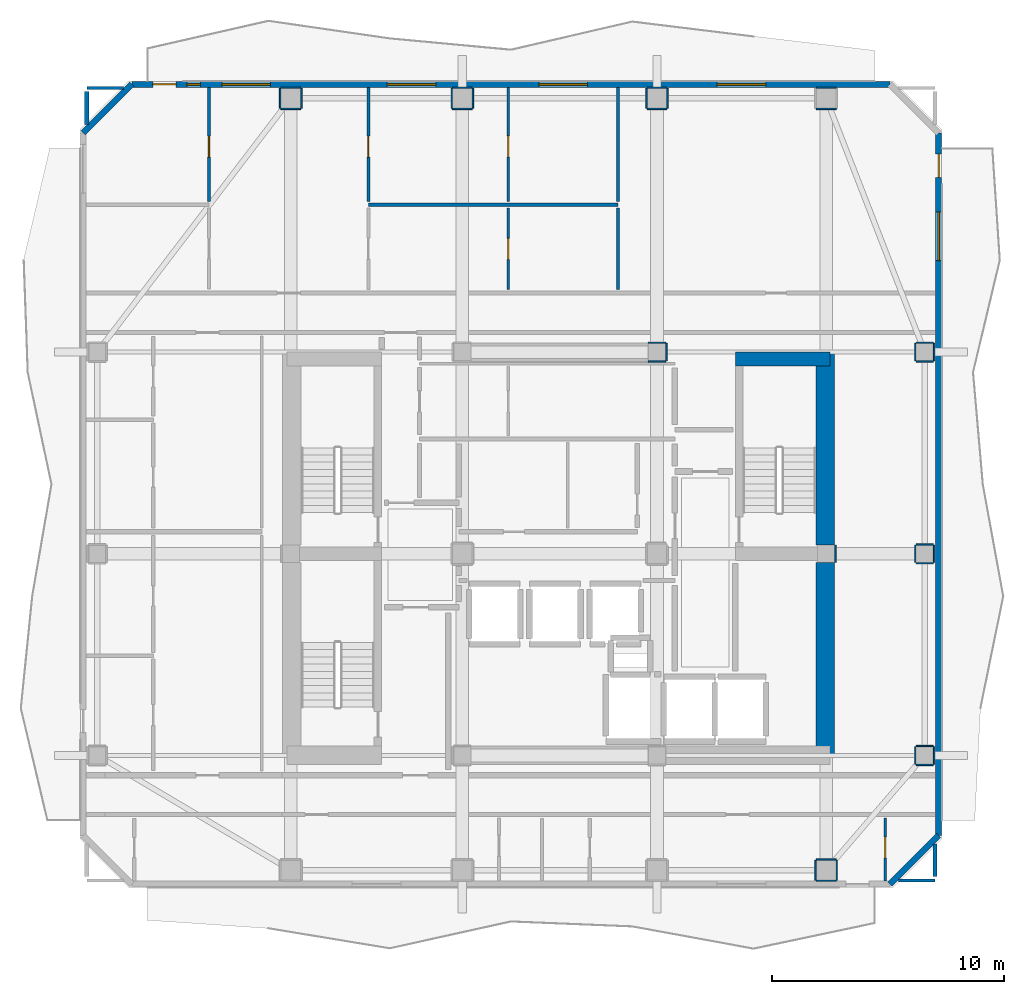
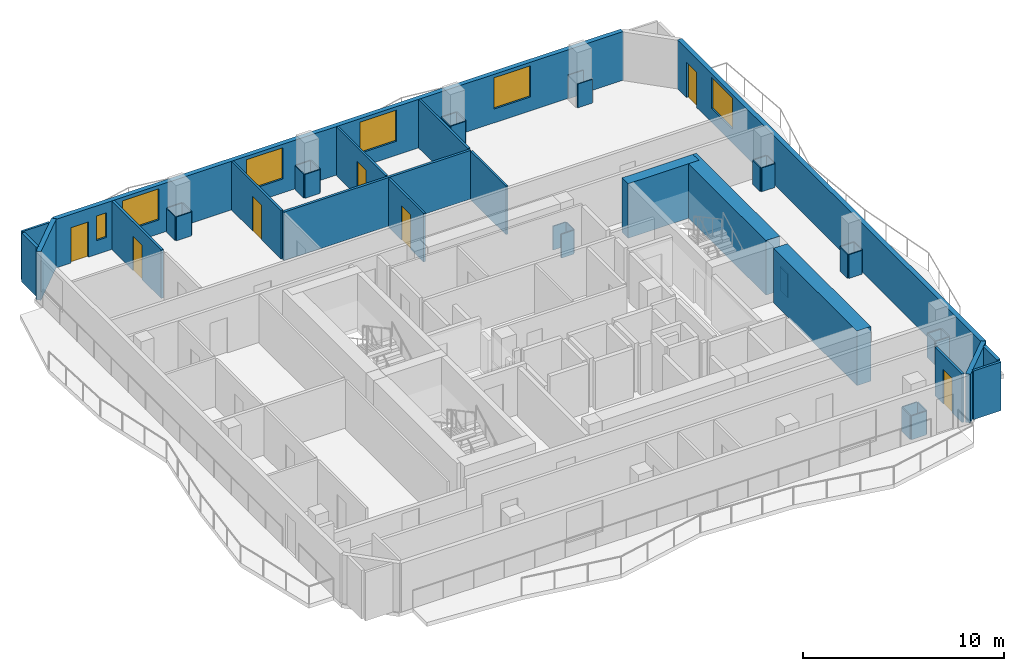
# One storey, part 5 of 10: 53 walls, 7 doors, 6 windows, 13 openings.
"""IFC4 building model written with IfcOpenShell, lengths in metres."""

import ifcopenshell
import ifcopenshell.guid

model = None  # the IFC model being written
_history = None  # IfcOwnerHistory: only IFC2X3 demands one
_inside = {}  # id of a spatial element -> (the spatial element, [elements in it])
_under = {}  # id of a project, library or spatial element -> (it, [spatial elements below it])
_declared = {}  # id of a project -> (the project, [libraries it declares])
_typed = {}  # id of a type object -> (the type object, [elements of that type])
_made_of = {}  # id of a material, layer set ... -> (it, [elements and type objects made of it])


def new_model(schema):
    """Start an empty IFC model of exactly this schema.

    Asked for "IFC4X3", IfcOpenShell would pick the latest addendum, in which some entities
    have other attributes; the version numbers below select the first issue.
    IFC2X3 requires an IfcOwnerHistory on every rooted entity: one is made here for all.
    """
    global model, _history
    if schema == "IFC4X3":
        model = ifcopenshell.file(schema_version=(4, 3, 0, 0))
    else:
        model = ifcopenshell.file(schema=schema)
    _inside.clear()
    _under.clear()
    _declared.clear()
    _typed.clear()
    _made_of.clear()
    _history = None
    if model.schema == "IFC2X3":
        org = make("IfcOrganization", Name="unknown")
        user = make(
            "IfcPersonAndOrganization",
            ThePerson=make("IfcPerson", FamilyName="unknown"),
            TheOrganization=org,
        )
        app = make(
            "IfcApplication",
            ApplicationDeveloper=org,
            Version="unknown",
            ApplicationFullName="unknown",
            ApplicationIdentifier="unknown",
        )
        _history = make(
            "IfcOwnerHistory",
            OwningUser=user,
            OwningApplication=app,
            ChangeAction="ADDED",
            CreationDate=0,
        )
    return model


def make(cls, **values):
    """One entity of the class cls with the attributes given. An attribute that is None is left unset."""
    return model.create_entity(
        cls, **{name: value for name, value in values.items() if value is not None}
    )


def rooted(cls, **values):
    """An entity with a GlobalId (a new one), such as an element, a storey or a relation."""
    return make(cls, GlobalId=ifcopenshell.guid.new(), OwnerHistory=_history, **values)


def si_unit(unit_type, name, prefix=None):
    """IfcSIUnit, for example si_unit("LENGTHUNIT", "METRE", prefix="MILLI")."""
    return make("IfcSIUnit", UnitType=unit_type, Prefix=prefix, Name=name)


def assignment(units):
    """IfcUnitAssignment: the units of a project."""
    return None if units is None else make("IfcUnitAssignment", Units=units)


def point(xyz):
    """IfcCartesianPoint."""
    return None if xyz is None else make("IfcCartesianPoint", Coordinates=xyz)


def direction(xyz):
    """IfcDirection."""
    return None if xyz is None else make("IfcDirection", DirectionRatios=xyz)


def frame(location, z_axis=None, x_axis=None):
    """IfcAxis2Placement3D, a coordinate frame: its origin and axes. An axis left out is left unset."""
    return make(
        "IfcAxis2Placement3D",
        Location=point(location),
        Axis=direction(z_axis),
        RefDirection=direction(x_axis),
    )


def frame_2d(location, x_axis=None):
    """IfcAxis2Placement2D, a coordinate frame in the plane: its origin and x axis."""
    return make(
        "IfcAxis2Placement2D", Location=point(location), RefDirection=direction(x_axis)
    )


def origin():
    """The frame at (0, 0, 0) with its axes left unset."""
    return frame((0.0, 0.0, 0.0))


def place(relative_to, where):
    """IfcLocalPlacement: puts the frame where relative to a parent placement (None: the world)."""
    return make(
        "IfcLocalPlacement", PlacementRelTo=relative_to, RelativePlacement=where
    )


def context(
    kind, dimensions, precision=None, world=None, true_north=None, identifier=None
):
    """IfcGeometricRepresentationContext, for example the 3D "Model" context."""
    return make(
        "IfcGeometricRepresentationContext",
        ContextIdentifier=identifier,
        ContextType=kind,
        CoordinateSpaceDimension=dimensions,
        Precision=precision,
        WorldCoordinateSystem=world,
        TrueNorth=true_north,
    )


def subcontext(parent, identifier, kind, view, scale=None):
    """IfcGeometricRepresentationSubContext, for example "Body" below "Model"."""
    return make(
        "IfcGeometricRepresentationSubContext",
        ContextIdentifier=identifier,
        ContextType=kind,
        ParentContext=parent,
        TargetScale=scale,
        TargetView=view,
    )


def project(units=None, contexts=None):
    """IfcProject with its units and contexts."""
    return rooted(
        "IfcProject",
        Name="project",
        RepresentationContexts=contexts,
        UnitsInContext=assignment(units),
    )


def spatial(cls, under=None, at=None, **own):
    """A site, building, storey or space (cls), placed at a placement, below another one or the project."""
    s = rooted(cls, ObjectPlacement=at, **own)
    if under is not None:
        _under.setdefault(under.id(), (under, []))[1].append(s)
    return s


def profile(cls, at=None, kind="AREA", **sizes):
    """A parametric profile (cls). Its sizes go by their IFC names, for example OverallWidth=200.0."""
    return make(cls, ProfileType=kind, Position=at, **sizes)


def rectangle(**sizes):
    """IfcRectangleProfileDef."""
    return profile("IfcRectangleProfileDef", **sizes)


def extrude(swept, where, along, depth):
    """IfcExtrudedAreaSolid: the profile swept, set in the frame where, extruded along a direction by depth."""
    return make(
        "IfcExtrudedAreaSolid",
        SweptArea=swept,
        Position=where,
        ExtrudedDirection=direction(along),
        Depth=depth,
    )


def shape(context_of_items, identifier, shape_type, items):
    """IfcShapeRepresentation: the items that make up one representation, for example the "Body"."""
    return make(
        "IfcShapeRepresentation",
        ContextOfItems=context_of_items,
        RepresentationIdentifier=identifier,
        RepresentationType=shape_type,
        Items=items,
    )


def material(Name=None, Category=None):
    """IfcMaterial."""
    return make("IfcMaterial", Name=Name, Category=Category)


def layer(
    of_material, thickness, ventilated=None, Name=None, Category=None, Priority=None
):
    """IfcMaterialLayer: one layer of a wall or slab, of a material (None: an air gap)."""
    return make(
        "IfcMaterialLayer",
        Material=of_material,
        LayerThickness=thickness,
        IsVentilated=ventilated,
        Name=Name,
        Category=Category,
        Priority=Priority,
    )


def layer_set(layers, Name=None):
    """IfcMaterialLayerSet."""
    return make("IfcMaterialLayerSet", MaterialLayers=layers, LayerSetName=Name)


def made_of(thing, what):
    """Note that an element or type object is made of a material, layer set ...; save() writes the relation."""
    if what is not None:
        _made_of.setdefault(what.id(), (what, []))[1].append(thing)
    return thing


def type_object(cls, material=None, **own):
    """A type object (cls), such as IfcWallType, which elements share."""
    return made_of(rooted(cls, **own), material)


def element(
    cls,
    number,
    at=None,
    inside=None,
    cuts=None,
    type_object=None,
    material=None,
    context=None,
    identifier="Body",
    shape_type=None,
    held_by="IfcProductDefinitionShape",
    body=None,
    shapes=None,
    **own,
):
    """One element of the class cls, such as IfcWall. Its Tag is "e" and its number.

    at: its placement. inside: the storey or other place that contains it. cuts: it is an
    opening in that element (IfcRelVoidsElement). A single representation is given by context,
    identifier, shape_type and body (its items); several are given by shapes. held_by: the class
    of the entity that holds the representations. save() writes the other relations.
    """
    e = rooted(cls, Tag="e%d" % number, ObjectPlacement=at, **own)
    if body is not None:
        shapes = [shape(context, identifier, shape_type, body)]
    if shapes is not None:
        e.Representation = make(held_by, Representations=shapes)
    if inside is not None:
        _inside.setdefault(inside.id(), (inside, []))[1].append(e)
    if cuts is not None:
        rooted(
            "IfcRelVoidsElement", RelatingBuildingElement=cuts, RelatedOpeningElement=e
        )
    if type_object is not None:
        _typed.setdefault(type_object.id(), (type_object, []))[1].append(e)
    return made_of(e, material)


def fill(opening, filler):
    """IfcRelFillsElement: the door or window that sits in an opening."""
    return rooted(
        "IfcRelFillsElement",
        RelatingOpeningElement=opening,
        RelatedBuildingElement=filler,
    )


def aggregate(whole, parts):
    """IfcRelAggregates: a whole, such as a stair, and the parts it consists of."""
    return rooted("IfcRelAggregates", RelatingObject=whole, RelatedObjects=parts)


def save(model, path):
    """Write the relations noted so far, then the file.

    IfcRelAggregates (storeys below a building ...), IfcRelContainedInSpatialStructure (elements
    in a storey), IfcRelDefinesByType, IfcRelAssociatesMaterial and IfcRelDeclares: one each for
    every whole, place, type object, material and project.
    """
    for whole, parts in _under.values():
        aggregate(whole, parts)
    for where, things in _inside.values():
        rooted(
            "IfcRelContainedInSpatialStructure",
            RelatedElements=things,
            RelatingStructure=where,
        )
    for kind, things in _typed.values():
        rooted("IfcRelDefinesByType", RelatedObjects=things, RelatingType=kind)
    for what, things in _made_of.values():
        rooted("IfcRelAssociatesMaterial", RelatedObjects=things, RelatingMaterial=what)
    for by, libraries in _declared.values():
        rooted("IfcRelDeclares", RelatingContext=by, RelatedDefinitions=libraries)
    model.write(path)


model = new_model("IFC4")

# Units and contexts
model_context = context("Model", 3, precision=1e-05, world=origin(), true_north=direction((0.0, 1.0)))
body_context = subcontext(model_context, "Body", "Model", "MODEL_VIEW")
ifc_project = project(units=[si_unit("LENGTHUNIT", "METRE"), si_unit("AREAUNIT", "SQUARE_METRE"), si_unit("VOLUMEUNIT", "CUBIC_METRE"), si_unit("PLANEANGLEUNIT", "RADIAN"), si_unit("MASSUNIT", "GRAM", prefix="KILO")], contexts=[model_context])

# Site, building, storey
site_placement = place(None, origin())
site = spatial("IfcSite", under=ifc_project, at=site_placement, CompositionType="ELEMENT")
building_placement = place(site_placement, origin())
building = spatial("IfcBuilding", under=site, at=building_placement, Name="Solanera Arch Residences", CompositionType="ELEMENT")
storey_placement = place(building_placement, frame((0.0, 0.0, 254.52001953125)))
storey = spatial("IfcBuildingStorey", under=building, at=storey_placement, Name="L74", CompositionType="ELEMENT", Elevation=254.52001953125)

# Walls
ifc_material_1 = material(Name="Fire-Rated Gypsum Stud Partition", Category="gypsum")
ifc_layer_1 = layer(ifc_material_1, 0.06005859375)
ifc_layer_set_1 = layer_set([ifc_layer_1], Name="Fire-Rated Gypsum Stud Partition")
wall_type_1 = type_object("IfcWallType", Name="Column Acoustic Furring Wall 60", PredefinedType="PARTITIONING", material=ifc_layer_set_1)
for number, where, z_axis, x_axis, name in (
    (1, (28.8330078125, 38.992919921875, 0.0), (0.0, 0.0, 1.0), (1.0, 0.0, 0.0), "L74 Column Furring 4S"),
    (2, (28.8330078125, 39.806884765625, 0.0), (0.0, 0.0, 1.0), (1.0, 0.0, 0.0), "L74 Column Furring 4N"),
):
    element("IfcWall", number, at=place(storey_placement, frame(where, z_axis=z_axis, x_axis=x_axis)), inside=storey, type_object=wall_type_1, Name=name, PredefinedType="PARTITIONING", context=body_context, shape_type="SweptSolid", body=[
        extrude(rectangle(XDim=0.741943359375, YDim=0.06005859375, at=frame_2d((0.37109375, 0.0))), origin(), (0.0, 0.0, 1.0), 1.449951171875),
    ])
for number, where, z_axis, x_axis, name in (
    (3, (29.60693359375, 39.02490234375, 0.0), (0.0, 0.0, 1.0), (0.0, 1.0, 0.0), "L74 Column Furring 4E"),
    (4, (36.906982421875, 30.324951171875, 0.0), (0.0, 0.0, 1.0), (0.0, 1.0, 0.0), "L74 Column Furring 6E"),
):
    element("IfcWall", number, at=place(storey_placement, frame(where, z_axis=z_axis, x_axis=x_axis)), inside=storey, type_object=wall_type_1, Name=name, PredefinedType="PARTITIONING", context=body_context, shape_type="SweptSolid", body=[
        extrude(rectangle(XDim=0.75, YDim=0.06005859375, at=frame_2d((0.375, 0.0))), origin(), (0.0, 0.0, 1.0), 1.449951171875),
    ])
for number, where, z_axis, x_axis, name in (
    (5, (12.97509765625, 49.89306640625, 0.0), (0.0, 0.0, 1.0), (1.0, 0.0, 0.0), "L74 Column Furring 10S"),
    (6, (12.97509765625, 50.806884765625, 0.0), (0.0, 0.0, 1.0), (1.0, 0.0, 0.0), "L74 Column Furring 10N"),
    (7, (12.943115234375, 49.925048828125, 0.0), (0.0, 0.0, 1.0), (0.0, 1.0, 0.0), "L74 Column Furring 10W"),
    (8, (13.85693359375, 49.925048828125, 0.0), (0.0, 0.0, 1.0), (0.0, 1.0, 0.0), "L74 Column Furring 10E"),
):
    element("IfcWall", number, at=place(storey_placement, frame(where, z_axis=z_axis, x_axis=x_axis)), inside=storey, type_object=wall_type_1, Name=name, PredefinedType="PARTITIONING", context=body_context, shape_type="SweptSolid", body=[
        extrude(rectangle(XDim=0.849853515625, YDim=0.06005859375, at=frame_2d((0.4248046875, 0.0))), origin(), (0.0, 0.0, 1.0), 1.449951171875),
    ])
for number, where, z_axis, x_axis, name in (
    (9, (20.375, 49.89306640625, 0.0), (0.0, 0.0, 1.0), (1.0, 0.0, 0.0), "L74 Column Furring 12S"),
    (10, (20.375, 50.806884765625, 0.0), (0.0, 0.0, 1.0), (1.0, 0.0, 0.0), "L74 Column Furring 12N"),
):
    element("IfcWall", number, at=place(storey_placement, frame(where, z_axis=z_axis, x_axis=x_axis)), inside=storey, type_object=wall_type_1, Name=name, PredefinedType="PARTITIONING", context=body_context, shape_type="SweptSolid", body=[
        extrude(rectangle(XDim=0.85009765625, YDim=0.06005859375, at=frame_2d((0.425048828125, 0.0))), origin(), (0.0, 0.0, 1.0), 1.449951171875),
    ])
for number, where, z_axis, x_axis, name in (
    (11, (20.343017578125, 49.925048828125, 0.0), (0.0, 0.0, 1.0), (0.0, 1.0, 0.0), "L74 Column Furring 12W"),
    (12, (21.257080078125, 49.925048828125, 0.0), (0.0, 0.0, 1.0), (0.0, 1.0, 0.0), "L74 Column Furring 12E"),
):
    element("IfcWall", number, at=place(storey_placement, frame(where, z_axis=z_axis, x_axis=x_axis)), inside=storey, type_object=wall_type_1, Name=name, PredefinedType="PARTITIONING", context=body_context, shape_type="SweptSolid", body=[
        extrude(rectangle(XDim=0.849853515625, YDim=0.06005859375, at=frame_2d((0.4248046875, 0.0))), origin(), (0.0, 0.0, 1.0), 1.449951171875),
    ])
for number, where, z_axis, x_axis, name in (
    (13, (28.77490234375, 49.89306640625, 0.0), (0.0, 0.0, 1.0), (1.0, 0.0, 0.0), "L74 Column Furring 14S"),
    (14, (28.77490234375, 50.806884765625, 0.0), (0.0, 0.0, 1.0), (1.0, 0.0, 0.0), "L74 Column Furring 14N"),
):
    element("IfcWall", number, at=place(storey_placement, frame(where, z_axis=z_axis, x_axis=x_axis)), inside=storey, type_object=wall_type_1, Name=name, PredefinedType="PARTITIONING", context=body_context, shape_type="SweptSolid", body=[
        extrude(rectangle(XDim=0.85009765625, YDim=0.06005859375, at=frame_2d((0.425048828125, 0.0))), origin(), (0.0, 0.0, 1.0), 1.449951171875),
    ])
for number, where, z_axis, x_axis, name in (
    (15, (28.742919921875, 49.925048828125, 0.0), (0.0, 0.0, 1.0), (0.0, 1.0, 0.0), "L74 Column Furring 14W"),
    (16, (29.656982421875, 49.925048828125, 0.0), (0.0, 0.0, 1.0), (0.0, 1.0, 0.0), "L74 Column Furring 14E"),
):
    element("IfcWall", number, at=place(storey_placement, frame(where, z_axis=z_axis, x_axis=x_axis)), inside=storey, type_object=wall_type_1, Name=name, PredefinedType="PARTITIONING", context=body_context, shape_type="SweptSolid", body=[
        extrude(rectangle(XDim=0.849853515625, YDim=0.06005859375, at=frame_2d((0.4248046875, 0.0))), origin(), (0.0, 0.0, 1.0), 1.449951171875),
    ])
for number, where, z_axis, x_axis, name in (
    (17, (36.074951171875, 16.593017578125, 0.0), (0.0, 0.0, 1.0), (1.0, 0.0, 0.0), "L74 Column Furring 15S"),
    (18, (36.074951171875, 17.507080078125, 0.0), (0.0, 0.0, 1.0), (1.0, 0.0, 0.0), "L74 Column Furring 15N"),
    (19, (36.04296875, 16.625, 0.0), (0.0, 0.0, 1.0), (0.0, 1.0, 0.0), "L74 Column Furring 15W"),
    (20, (36.95703125, 16.625, 0.0), (0.0, 0.0, 1.0), (0.0, 1.0, 0.0), "L74 Column Furring 15E"),
    (21, (36.074951171875, 49.89306640625, 0.0), (0.0, 0.0, 1.0), (1.0, 0.0, 0.0), "L74 Column Furring 16S"),
    (22, (36.074951171875, 50.806884765625, 0.0), (0.0, 0.0, 1.0), (1.0, 0.0, 0.0), "L74 Column Furring 16N"),
):
    element("IfcWall", number, at=place(storey_placement, frame(where, z_axis=z_axis, x_axis=x_axis)), inside=storey, type_object=wall_type_1, Name=name, PredefinedType="PARTITIONING", context=body_context, shape_type="SweptSolid", body=[
        extrude(rectangle(XDim=0.85009765625, YDim=0.06005859375, at=frame_2d((0.425048828125, 0.0))), origin(), (0.0, 0.0, 1.0), 1.449951171875),
    ])
for number, where, z_axis, x_axis, name in (
    (23, (40.375, 21.593017578125, 0.0), (0.0, 0.0, 1.0), (1.0, 0.0, 0.0), "L74 Column Furring 18S"),
    (24, (40.375, 22.406982421875, 0.0), (0.0, 0.0, 1.0), (1.0, 0.0, 0.0), "L74 Column Furring 18N"),
    (25, (40.343017578125, 21.625, 0.0), (0.0, 0.0, 1.0), (0.0, 1.0, 0.0), "L74 Column Furring 18W"),
    (26, (41.156982421875, 21.625, 0.0), (0.0, 0.0, 1.0), (0.0, 1.0, 0.0), "L74 Column Furring 18E"),
    (27, (40.375, 30.29296875, 0.0), (0.0, 0.0, 1.0), (1.0, 0.0, 0.0), "L74 Column Furring 20S"),
    (28, (40.375, 31.10693359375, 0.0), (0.0, 0.0, 1.0), (1.0, 0.0, 0.0), "L74 Column Furring 20N"),
    (29, (40.343017578125, 30.324951171875, 0.0), (0.0, 0.0, 1.0), (0.0, 1.0, 0.0), "L74 Column Furring 20W"),
    (30, (41.156982421875, 30.324951171875, 0.0), (0.0, 0.0, 1.0), (0.0, 1.0, 0.0), "L74 Column Furring 20E"),
    (31, (40.375, 38.992919921875, 0.0), (0.0, 0.0, 1.0), (1.0, 0.0, 0.0), "L74 Column Furring 22S"),
    (32, (40.375, 39.806884765625, 0.0), (0.0, 0.0, 1.0), (1.0, 0.0, 0.0), "L74 Column Furring 22N"),
    (33, (40.343017578125, 39.02490234375, 0.0), (0.0, 0.0, 1.0), (0.0, 1.0, 0.0), "L74 Column Furring 22W"),
    (34, (41.156982421875, 39.02490234375, 0.0), (0.0, 0.0, 1.0), (0.0, 1.0, 0.0), "L74 Column Furring 22E"),
):
    element("IfcWall", number, at=place(storey_placement, frame(where, z_axis=z_axis, x_axis=x_axis)), inside=storey, type_object=wall_type_1, Name=name, PredefinedType="PARTITIONING", context=body_context, shape_type="SweptSolid", body=[
        extrude(rectangle(XDim=0.75, YDim=0.06005859375, at=frame_2d((0.375, 0.0))), origin(), (0.0, 0.0, 1.0), 1.449951171875),
    ])
ifc_material_2 = material(Name="Concrete C40/50 (f'c = 45 MPa)", Category="concrete")
ifc_layer_2 = layer(ifc_material_2, 0.60009765625)
ifc_layer_set_2 = layer_set([ifc_layer_2], Name="Concrete C40/50 (f'c = 45 MPa)")
wall_type_2 = type_object("IfcWallType", Name="Core Shear Wall CW-600", PredefinedType="SHEAR", material=ifc_layer_set_2)
wall_1_placement = place(storey_placement, frame((32.580078125, 39.10009765625, 0.0), z_axis=(0.0, 0.0, 1.0), x_axis=(1.0, 0.0, 0.0)))
element("IfcWall", 35, at=wall_1_placement, inside=storey, type_object=wall_type_2, Name="L74 North-East Core Shear Wall", PredefinedType="SHEAR", context=body_context, shape_type="SweptSolid", body=[
    extrude(rectangle(XDim=4.079833984375, YDim=0.60009765625, at=frame_2d((2.0400390625, 0.0))), origin(), (0.0, 0.0, 1.0), 3.320068359375),
])
ifc_material_3 = material(Name="Concrete C40/50 (f'c = 45 MPa)", Category="concrete")
ifc_layer_3 = layer(ifc_material_3, 0.800048828125)
ifc_layer_set_3 = layer_set([ifc_layer_3], Name="Concrete C40/50 (f'c = 45 MPa)")
wall_type_3 = type_object("IfcWallType", Name="Core Shear Wall CW-800", PredefinedType="SHEAR", material=ifc_layer_set_3)
wall_2_placement = place(storey_placement, frame((36.4599609375, 22.0, 0.0), z_axis=(0.0, 0.0, 1.0), x_axis=(0.0, 1.0, 0.0)))
element("IfcWall", 36, at=wall_2_placement, inside=storey, type_object=wall_type_3, Name="L74 East Core South Shear Wall", PredefinedType="SHEAR", context=body_context, shape_type="SweptSolid", body=[
    extrude(rectangle(XDim=8.320068359375, YDim=0.800048828125, at=frame_2d((4.16015625, 0.0))), origin(), (0.0, 0.0, 1.0), 3.320068359375),
])
wall_3_placement = place(storey_placement, frame((36.4599609375, 31.080078125, 0.0), z_axis=(0.0, 0.0, 1.0), x_axis=(0.0, 1.0, 0.0)))
element("IfcWall", 37, at=wall_3_placement, inside=storey, type_object=wall_type_3, Name="L74 East Core North Shear Wall", PredefinedType="SHEAR", context=body_context, shape_type="SweptSolid", body=[
    extrude(rectangle(XDim=8.31982421875, YDim=0.800048828125, at=frame_2d((4.159912109375, 0.0))), origin(), (0.0, 0.0, 1.0), 3.320068359375),
])
ifc_material_4 = material(Name="Autoclaved Aerated Concrete Blockwork", Category="masonry")
ifc_layer_4 = layer(ifc_material_4, 0.179931640625)
ifc_layer_set_4 = layer_set([ifc_layer_4], Name="Autoclaved Aerated Concrete Blockwork")
wall_type_4 = type_object("IfcWallType", Name="Corridor Fire Partition 180", PredefinedType="PARTITIONING", material=ifc_layer_set_4)
wall_4_placement = place(storey_placement, frame((4.60009765625, 49.2109375, 0.0), z_axis=(0.0, 0.0, 1.0), x_axis=(0.0, 1.0, 0.0)))
element("IfcWall", 38, at=wall_4_placement, inside=storey, type_object=wall_type_4, Name="L74 Interior Partition V6 2", PredefinedType="PARTITIONING", context=body_context, shape_type="SweptSolid", body=[
    extrude(rectangle(XDim=1.43115234375, YDim=0.179931640625, at=frame_2d((0.715576171875, 0.0))), origin(), (0.0, 0.0, 1.0), 2.9599609375),
])
wall_5_placement = place(storey_placement, frame((41.199951171875, 16.76806640625, 0.0), z_axis=(0.0, 0.0, 1.0), x_axis=(0.0, 1.0, 0.0)))
element("IfcWall", 39, at=wall_5_placement, inside=storey, type_object=wall_type_4, Name="L74 Interior Partition V9", PredefinedType="PARTITIONING", context=body_context, shape_type="SweptSolid", body=[
    extrude(rectangle(XDim=1.4208984375, YDim=0.179931640625, at=frame_2d((0.71044921875, 0.0))), origin(), (0.0, 0.0, 1.0), 2.9599609375),
])
ifc_material_5 = material(Name="Precast Concrete C35/45", Category="concrete")
ifc_layer_5 = layer(ifc_material_5, 0.260009765625)
ifc_layer_set_5 = layer_set([ifc_layer_5], Name="Precast Concrete C35/45")
wall_type_5 = type_object("IfcWallType", Name="Exterior Wall Precast Masonry-Frame 260", PredefinedType="STANDARD", material=ifc_layer_set_5)
wall_6_placement = place(storey_placement, frame((4.445068359375, 48.85498046875, 0.0), z_axis=(0.0, 0.0, 1.0), x_axis=(0.707065676302, 0.707147883682, 0.0)))
element("IfcWall", 40, at=wall_6_placement, inside=storey, type_object=wall_type_5, Name="L74 Tower Exterior Precast Masonry-Frame Wall CH1", PredefinedType="STANDARD", context=body_context, shape_type="SweptSolid", body=[
    extrude(rectangle(XDim=2.9697265625, YDim=0.260009765625, at=frame_2d((1.48486328125, 0.0))), origin(), (0.0, 0.0, 1.0), 2.9599609375),
])

# Wall, openings, door, windows
wall_7_placement = place(storey_placement, frame((6.544921875, 50.955078125, 0.0), z_axis=(0.0, 0.0, 1.0), x_axis=(1.0, 0.0, 0.0)))
wall_7 = element("IfcWall", 41, at=wall_7_placement, inside=storey, type_object=wall_type_5, Name="L74 Tower Exterior Precast Masonry-Frame Wall N", PredefinedType="STANDARD", context=body_context, shape_type="SweptSolid", body=[
    extrude(rectangle(XDim=32.7099609375, YDim=0.260009765625, at=frame_2d((16.35498046875, 0.0))), origin(), (0.0, 0.0, 1.0), 2.9599609375),
])
opening_1_placement = place(wall_7_placement, frame((0.906982421875, 0.0, 0.0)))
opening_1 = element("IfcOpeningElement", 42, at=opening_1_placement, cuts=wall_7, Name="Opening DB-01", PredefinedType="OPENING", context=body_context, shape_type="SweptSolid", body=[
    extrude(rectangle(XDim=1.0, YDim=2.14990234375, at=frame_2d((0.5, 1.074951171875))), frame((0.0, 0.139892578125, 0.0), z_axis=(0.0, -1.0, 0.0), x_axis=(1.0, 0.0, 0.0)), (0.0, 0.0, 1.0), 0.28),
])
opening_2_placement = place(wall_7_placement, frame((3.8779296875, 0.0, 0.85009765625)))
opening_2 = element("IfcOpeningElement", 43, at=opening_2_placement, cuts=wall_7, Name="Opening W-04", PredefinedType="OPENING", context=body_context, shape_type="SweptSolid", body=[
    extrude(rectangle(XDim=2.10009765625, YDim=1.89990234375, at=frame_2d((1.050048828125, 0.949951171875))), frame((0.0, 0.139892578125, 0.0), z_axis=(0.0, -1.0, 0.0), x_axis=(1.0, 0.0, 0.0)), (0.0, 0.0, 1.0), 0.28),
])
opening_3_placement = place(wall_7_placement, frame((2.376953125, 0.0, 0.85009765625)))
opening_3 = element("IfcOpeningElement", 44, at=opening_3_placement, cuts=wall_7, Name="Opening W-14", PredefinedType="OPENING", context=body_context, shape_type="SweptSolid", body=[
    extrude(rectangle(XDim=0.580078125, YDim=1.5, at=frame_2d((0.2900390625, 0.75))), frame((0.0, 0.139892578125, 0.0), z_axis=(0.0, -1.0, 0.0), x_axis=(1.0, 0.0, 0.0)), (0.0, 0.0, 1.0), 0.28),
])
opening_4_placement = place(wall_7_placement, frame((11.01611328125, 0.0, 0.85009765625)))
opening_4 = element("IfcOpeningElement", 45, at=opening_4_placement, cuts=wall_7, Name="Opening W-04", PredefinedType="OPENING", context=body_context, shape_type="SweptSolid", body=[
    extrude(rectangle(XDim=2.10009765625, YDim=1.89990234375, at=frame_2d((1.050048828125, 0.949951171875))), frame((0.0, 0.139892578125, 0.0), z_axis=(0.0, -1.0, 0.0), x_axis=(1.0, 0.0, 0.0)), (0.0, 0.0, 1.0), 0.28),
])
opening_5_placement = place(wall_7_placement, frame((17.554931640625, 0.0, 0.85009765625)))
opening_5 = element("IfcOpeningElement", 46, at=opening_5_placement, cuts=wall_7, Name="Opening W-04", PredefinedType="OPENING", context=body_context, shape_type="SweptSolid", body=[
    extrude(rectangle(XDim=2.10009765625, YDim=1.89990234375, at=frame_2d((1.050048828125, 0.949951171875))), frame((0.0, 0.139892578125, 0.0), z_axis=(0.0, -1.0, 0.0), x_axis=(1.0, 0.0, 0.0)), (0.0, 0.0, 1.0), 0.28),
])
opening_6_placement = place(wall_7_placement, frame((25.2548828125, 0.0, 0.85009765625)))
opening_6 = element("IfcOpeningElement", 47, at=opening_6_placement, cuts=wall_7, Name="Opening W-04", PredefinedType="OPENING", context=body_context, shape_type="SweptSolid", body=[
    extrude(rectangle(XDim=2.10009765625, YDim=1.89990234375, at=frame_2d((1.050048828125, 0.949951171875))), frame((0.0, 0.139892578125, 0.0), z_axis=(0.0, -1.0, 0.0), x_axis=(1.0, 0.0, 0.0)), (0.0, 0.0, 1.0), 0.28),
])
ifc_material_6 = material(Name="Anodised Aluminium Alloy 6063-T6", Category="aluminium")
door_type_1 = type_object("IfcDoorType", Name="Glazed Balcony Swing Door DB-01", OperationType="NOTDEFINED", PredefinedType="DOOR", material=ifc_material_6)
door_1_placement = place(opening_1_placement, origin())
door_1 = element("IfcDoor", 48, at=door_1_placement, inside=storey, type_object=door_type_1, Name="DR-L74-OUT-02", OperationType="SINGLE_SWING_LEFT", OverallHeight=2.14990234375, OverallWidth=1.0, PredefinedType="DOOR", context=body_context, shape_type="SweptSolid", body=[
    extrude(rectangle(XDim=1.0, YDim=2.14990234375, at=frame_2d((0.5, 1.074951171875))), frame((0.0, 0.02490234375, 0.0), z_axis=(0.0, -1.0, 0.0), x_axis=(1.0, 0.0, 0.0)), (0.0, 0.0, 1.0), 0.050048828125),
])
fill(opening_1, door_1)
ifc_material_7 = material(Name="Double Glazed Low-E Laminated Glass", Category="glass")
window_type_1 = type_object("IfcWindowType", Name="Punched Window W-04", PartitioningType="DOUBLE_PANEL_VERTICAL", PredefinedType="WINDOW", material=ifc_material_7)
window_1_placement = place(opening_2_placement, origin())
window_1 = element("IfcWindow", 49, at=window_1_placement, inside=storey, type_object=window_type_1, Name="L74 7403-LIV Punched Window", OverallHeight=1.89990234375, OverallWidth=2.10009765625, PartitioningType="SINGLE_PANEL", PredefinedType="WINDOW", context=body_context, shape_type="SweptSolid", body=[
    extrude(rectangle(XDim=2.10009765625, YDim=1.89990234375, at=frame_2d((1.050048828125, 0.949951171875))), frame((0.0, 0.030029296875, 0.0), z_axis=(0.0, -1.0, 0.0), x_axis=(1.0, 0.0, 0.0)), (0.0, 0.0, 1.0), 0.06005859375),
])
fill(opening_2, window_1)
window_2_placement = place(opening_4_placement, origin())
window_2 = element("IfcWindow", 50, at=window_2_placement, inside=storey, type_object=window_type_1, Name="L74 7403-BR2 Punched Window", OverallHeight=1.89990234375, OverallWidth=2.10009765625, PartitioningType="SINGLE_PANEL", PredefinedType="WINDOW", context=body_context, shape_type="SweptSolid", body=[
    extrude(rectangle(XDim=2.10009765625, YDim=1.89990234375, at=frame_2d((1.050048828125, 0.949951171875))), frame((0.0, 0.030029296875, 0.0), z_axis=(0.0, -1.0, 0.0), x_axis=(1.0, 0.0, 0.0)), (0.0, 0.0, 1.0), 0.06005859375),
])
fill(opening_4, window_2)
window_3_placement = place(opening_5_placement, origin())
window_3 = element("IfcWindow", 51, at=window_3_placement, inside=storey, type_object=window_type_1, Name="L74 7403-BR3 Punched Window", OverallHeight=1.89990234375, OverallWidth=2.10009765625, PartitioningType="SINGLE_PANEL", PredefinedType="WINDOW", context=body_context, shape_type="SweptSolid", body=[
    extrude(rectangle(XDim=2.10009765625, YDim=1.89990234375, at=frame_2d((1.050048828125, 0.949951171875))), frame((0.0, 0.030029296875, 0.0), z_axis=(0.0, -1.0, 0.0), x_axis=(1.0, 0.0, 0.0)), (0.0, 0.0, 1.0), 0.06005859375),
])
fill(opening_5, window_3)
window_4_placement = place(opening_6_placement, origin())
window_4 = element("IfcWindow", 52, at=window_4_placement, inside=storey, type_object=window_type_1, Name="L74 AMN-WIN Punched Window", OverallHeight=1.89990234375, OverallWidth=2.10009765625, PartitioningType="SINGLE_PANEL", PredefinedType="WINDOW", context=body_context, shape_type="SweptSolid", body=[
    extrude(rectangle(XDim=2.10009765625, YDim=1.89990234375, at=frame_2d((1.050048828125, 0.949951171875))), frame((0.0, 0.030029296875, 0.0), z_axis=(0.0, -1.0, 0.0), x_axis=(1.0, 0.0, 0.0)), (0.0, 0.0, 1.0), 0.06005859375),
])
fill(opening_6, window_4)
ifc_material_8 = material(Name="Double Glazed Low-E Laminated Glass", Category="glass")
window_type_2 = type_object("IfcWindowType", Name="Punched Window W-14", PartitioningType="SINGLE_PANEL", PredefinedType="WINDOW", material=ifc_material_8)
window_5_placement = place(opening_3_placement, origin())
window_5 = element("IfcWindow", 53, at=window_5_placement, inside=storey, type_object=window_type_2, Name="L74 7403-BR1 Punched Window", OverallHeight=1.5, OverallWidth=0.580078125, PartitioningType="SINGLE_PANEL", PredefinedType="WINDOW", context=body_context, shape_type="SweptSolid", body=[
    extrude(rectangle(XDim=0.580078125, YDim=1.5, at=frame_2d((0.2900390625, 0.75))), frame((0.0, 0.030029296875, 0.0), z_axis=(0.0, -1.0, 0.0), x_axis=(1.0, 0.0, 0.0)), (0.0, 0.0, 1.0), 0.06005859375),
])
fill(opening_3, window_5)

# Wall, openings, door, window
wall_8_placement = place(storey_placement, frame((41.35498046875, 48.85498046875, 0.0), z_axis=(0.0, 0.0, 1.0), x_axis=(0.0, -1.0, 0.0)))
wall_8 = element("IfcWall", 54, at=wall_8_placement, inside=storey, type_object=wall_type_5, Name="L74 Tower Exterior Precast Masonry-Frame Wall E", PredefinedType="STANDARD", context=body_context, shape_type="SweptSolid", body=[
    extrude(rectangle(XDim=30.31005859375, YDim=0.260009765625, at=frame_2d((15.155029296875, 0.0))), origin(), (0.0, 0.0, 1.0), 2.9599609375),
])
opening_7_placement = place(wall_8_placement, frame((0.909912109375, 0.0, 0.0)))
opening_7 = element("IfcOpeningElement", 55, at=opening_7_placement, cuts=wall_8, Name="Opening DB-01", PredefinedType="OPENING", context=body_context, shape_type="SweptSolid", body=[
    extrude(rectangle(XDim=1.0, YDim=2.14990234375, at=frame_2d((0.5, 1.074951171875))), frame((0.0, 0.139892578125, 0.0), z_axis=(0.0, -1.0, 0.0), x_axis=(1.0, 0.0, 0.0)), (0.0, 0.0, 1.0), 0.28),
])
opening_8_placement = place(wall_8_placement, frame((3.406982421875, 0.0, 0.85009765625)))
opening_8 = element("IfcOpeningElement", 56, at=opening_8_placement, cuts=wall_8, Name="Opening W-04", PredefinedType="OPENING", context=body_context, shape_type="SweptSolid", body=[
    extrude(rectangle(XDim=2.10009765625, YDim=1.89990234375, at=frame_2d((1.050048828125, 0.949951171875))), frame((0.0, 0.139892578125, 0.0), z_axis=(0.0, -1.0, 0.0), x_axis=(1.0, 0.0, 0.0)), (0.0, 0.0, 1.0), 0.28),
])
door_2_placement = place(opening_7_placement, origin())
door_2 = element("IfcDoor", 57, at=door_2_placement, inside=storey, type_object=door_type_1, Name="DR-L74-OUT-03", OperationType="SINGLE_SWING_RIGHT", OverallHeight=2.14990234375, OverallWidth=1.0, PredefinedType="DOOR", context=body_context, shape_type="SweptSolid", body=[
    extrude(rectangle(XDim=1.0, YDim=2.14990234375, at=frame_2d((0.5, 1.074951171875))), frame((0.0, 0.02490234375, 0.0), z_axis=(0.0, -1.0, 0.0), x_axis=(1.0, 0.0, 0.0)), (0.0, 0.0, 1.0), 0.050048828125),
])
fill(opening_7, door_2)
window_6_placement = place(opening_8_placement, origin())
window_6 = element("IfcWindow", 58, at=window_6_placement, inside=storey, type_object=window_type_1, Name="L74 AMN-WIN Punched Window", OverallHeight=1.89990234375, OverallWidth=2.10009765625, PartitioningType="SINGLE_PANEL", PredefinedType="WINDOW", context=body_context, shape_type="SweptSolid", body=[
    extrude(rectangle(XDim=2.10009765625, YDim=1.89990234375, at=frame_2d((1.050048828125, 0.949951171875))), frame((0.0, 0.030029296875, 0.0), z_axis=(0.0, -1.0, 0.0), x_axis=(1.0, 0.0, 0.0)), (0.0, 0.0, 1.0), 0.06005859375),
])
fill(opening_8, window_6)

# Walls
wall_9_placement = place(storey_placement, frame((41.35498046875, 18.544921875, 0.0), z_axis=(0.0, 0.0, 1.0), x_axis=(-0.707147883682, -0.707065676302, 0.0)))
element("IfcWall", 59, at=wall_9_placement, inside=storey, type_object=wall_type_5, Name="L74 Tower Exterior Precast Masonry-Frame Wall CH5", PredefinedType="STANDARD", context=body_context, shape_type="SweptSolid", body=[
    extrude(rectangle(XDim=2.9697265625, YDim=0.260009765625, at=frame_2d((1.48486328125, 0.0))), origin(), (0.0, 0.0, 1.0), 2.9599609375),
])
ifc_material_9 = material(Name="Fire-Rated Gypsum Stud Partition", Category="gypsum")
ifc_layer_6 = layer(ifc_material_9, 0.1201171875)
ifc_layer_set_6 = layer_set([ifc_layer_6], Name="Fire-Rated Gypsum Stud Partition")
wall_type_6 = type_object("IfcWallType", Name="Unit Drywall Partition 120", PredefinedType="PARTITIONING", material=ifc_layer_set_6)
wall_10_placement = place(storey_placement, frame((4.60009765625, 50.800048828125, 0.0), z_axis=(0.0, 0.0, 1.0), x_axis=(1.0, 0.0, 0.0)))
element("IfcWall", 60, at=wall_10_placement, inside=storey, type_object=wall_type_6, Name="L74 Interior Partition H20 1", PredefinedType="PARTITIONING", context=body_context, shape_type="SweptSolid", body=[
    extrude(rectangle(XDim=1.5888671875, YDim=0.1201171875, at=frame_2d((0.79443359375, 0.0))), origin(), (0.0, 0.0, 1.0), 2.9599609375),
])

# Wall, opening, door
wall_11_placement = place(storey_placement, frame((16.748046875, 45.89404296875, 0.0), z_axis=(0.0, 0.0, 1.0), x_axis=(0.0, 1.0, 0.0)))
wall_11 = element("IfcWall", 61, at=wall_11_placement, inside=storey, type_object=wall_type_6, Name="L74 Interior Partition V17 2", PredefinedType="PARTITIONING", context=body_context, shape_type="SweptSolid", body=[
    extrude(rectangle(XDim=4.9189453125, YDim=0.1201171875, at=frame_2d((2.45947265625, 0.0))), origin(), (0.0, 0.0, 1.0), 2.9599609375),
])
opening_9_placement = place(wall_11_placement, frame((1.9208984375, 0.0, 0.0)))
opening_9 = element("IfcOpeningElement", 62, at=opening_9_placement, cuts=wall_11, Name="Opening DI-03", PredefinedType="OPENING", context=body_context, shape_type="SweptSolid", body=[
    extrude(rectangle(XDim=0.89990234375, YDim=2.10009765625, at=frame_2d((0.449951171875, 1.050048828125))), frame((0.0, 0.070068359375, 0.0), z_axis=(0.0, -1.0, 0.0), x_axis=(1.0, 0.0, 0.0)), (0.0, 0.0, 1.0), 0.1401),
])
ifc_material_10 = material(Name="Fire-Rated Architectural Hardwood", Category="wood")
door_type_2 = type_object("IfcDoorType", Name="Bedroom Swing Door DI-03", OperationType="NOTDEFINED", PredefinedType="DOOR", material=ifc_material_10)
door_3_placement = place(opening_9_placement, origin())
door_3 = element("IfcDoor", 63, at=door_3_placement, inside=storey, type_object=door_type_2, Name="DR-L74-IN-025", OperationType="SINGLE_SWING_RIGHT", OverallHeight=2.10009765625, OverallWidth=0.89990234375, PredefinedType="DOOR", context=body_context, shape_type="SweptSolid", body=[
    extrude(rectangle(XDim=0.89990234375, YDim=2.10009765625, at=frame_2d((0.449951171875, 1.050048828125))), frame((0.0, 0.02490234375, 0.0), z_axis=(0.0, -1.0, 0.0), x_axis=(1.0, 0.0, 0.0)), (0.0, 0.0, 1.0), 0.050048828125),
])
fill(opening_9, door_3)

wall_12_placement = place(storey_placement, frame((22.780029296875, 42.10791015625, 0.0), z_axis=(0.0, 0.0, 1.0), x_axis=(0.0, 1.0, 0.0)))
wall_12 = element("IfcWall", 64, at=wall_12_placement, inside=storey, type_object=wall_type_6, Name="L74 Interior Partition V20 1", PredefinedType="PARTITIONING", context=body_context, shape_type="SweptSolid", body=[
    extrude(rectangle(XDim=3.510009765625, YDim=0.1201171875, at=frame_2d((1.7548828125, 0.0))), origin(), (0.0, 0.0, 1.0), 2.9599609375),
])
opening_10_placement = place(wall_12_placement, frame((1.294921875, 0.0, 0.0)))
opening_10 = element("IfcOpeningElement", 65, at=opening_10_placement, cuts=wall_12, Name="Opening DI-02", PredefinedType="OPENING", context=body_context, shape_type="SweptSolid", body=[
    extrude(rectangle(XDim=0.89990234375, YDim=2.10009765625, at=frame_2d((0.449951171875, 1.050048828125))), frame((0.0, 0.070068359375, 0.0), z_axis=(0.0, -1.0, 0.0), x_axis=(1.0, 0.0, 0.0)), (0.0, 0.0, 1.0), 0.1401),
])
ifc_material_11 = material(Name="Fire-Rated Architectural Hardwood", Category="wood")
door_type_3 = type_object("IfcDoorType", Name="Suite Room Swing Door DI-02", OperationType="NOTDEFINED", PredefinedType="DOOR", material=ifc_material_11)
door_4_placement = place(opening_10_placement, origin())
door_4 = element("IfcDoor", 66, at=door_4_placement, inside=storey, type_object=door_type_3, Name="DR-L74-IN-024", OperationType="SINGLE_SWING_LEFT", OverallHeight=2.10009765625, OverallWidth=0.89990234375, PredefinedType="DOOR", context=body_context, shape_type="SweptSolid", body=[
    extrude(rectangle(XDim=0.89990234375, YDim=2.10009765625, at=frame_2d((0.449951171875, 1.050048828125))), frame((0.0, 0.02490234375, 0.0), z_axis=(0.0, -1.0, 0.0), x_axis=(1.0, 0.0, 0.0)), (0.0, 0.0, 1.0), 0.050048828125),
])
fill(opening_10, door_4)

wall_13_placement = place(storey_placement, frame((22.780029296875, 45.89404296875, 0.0), z_axis=(0.0, 0.0, 1.0), x_axis=(0.0, 1.0, 0.0)))
wall_13 = element("IfcWall", 67, at=wall_13_placement, inside=storey, type_object=wall_type_6, Name="L74 Interior Partition V20 2", PredefinedType="PARTITIONING", context=body_context, shape_type="SweptSolid", body=[
    extrude(rectangle(XDim=4.9189453125, YDim=0.1201171875, at=frame_2d((2.45947265625, 0.0))), origin(), (0.0, 0.0, 1.0), 2.9599609375),
])
opening_11_placement = place(wall_13_placement, frame((1.93408203125, 0.0, 0.0)))
opening_11 = element("IfcOpeningElement", 68, at=opening_11_placement, cuts=wall_13, Name="Opening DI-03", PredefinedType="OPENING", context=body_context, shape_type="SweptSolid", body=[
    extrude(rectangle(XDim=0.89990234375, YDim=2.10009765625, at=frame_2d((0.449951171875, 1.050048828125))), frame((0.0, 0.070068359375, 0.0), z_axis=(0.0, -1.0, 0.0), x_axis=(1.0, 0.0, 0.0)), (0.0, 0.0, 1.0), 0.1401),
])
door_5_placement = place(opening_11_placement, origin())
door_5 = element("IfcDoor", 69, at=door_5_placement, inside=storey, type_object=door_type_2, Name="DR-L74-IN-026", OperationType="SINGLE_SWING_LEFT", OverallHeight=2.10009765625, OverallWidth=0.89990234375, PredefinedType="DOOR", context=body_context, shape_type="SweptSolid", body=[
    extrude(rectangle(XDim=0.89990234375, YDim=2.10009765625, at=frame_2d((0.449951171875, 1.050048828125))), frame((0.0, 0.02490234375, 0.0), z_axis=(0.0, -1.0, 0.0), x_axis=(1.0, 0.0, 0.0)), (0.0, 0.0, 1.0), 0.050048828125),
])
fill(opening_11, door_5)

# Walls
wall_14_placement = place(storey_placement, frame((27.52001953125, 42.10791015625, 0.0), z_axis=(0.0, 0.0, 1.0), x_axis=(0.0, 1.0, 0.0)))
element("IfcWall", 70, at=wall_14_placement, inside=storey, type_object=wall_type_6, Name="L74 Interior Partition V22 1", PredefinedType="PARTITIONING", context=body_context, shape_type="SweptSolid", body=[
    extrude(rectangle(XDim=3.510009765625, YDim=0.1201171875, at=frame_2d((1.7548828125, 0.0))), origin(), (0.0, 0.0, 1.0), 2.9599609375),
])
wall_15_placement = place(storey_placement, frame((27.52001953125, 45.89404296875, 0.0), z_axis=(0.0, 0.0, 1.0), x_axis=(0.0, 1.0, 0.0)))
element("IfcWall", 71, at=wall_15_placement, inside=storey, type_object=wall_type_6, Name="L74 Interior Partition V22 2", PredefinedType="PARTITIONING", context=body_context, shape_type="SweptSolid", body=[
    extrude(rectangle(XDim=4.9189453125, YDim=0.1201171875, at=frame_2d((2.45947265625, 0.0))), origin(), (0.0, 0.0, 1.0), 2.9599609375),
])

# Wall, opening, door
wall_16_placement = place(storey_placement, frame((39.050048828125, 16.5869140625, 0.0), z_axis=(0.0, 0.0, 1.0), x_axis=(0.0, 1.0, 0.0)))
wall_16 = element("IfcWall", 72, at=wall_16_placement, inside=storey, type_object=wall_type_6, Name="L74 Interior Partition V23", PredefinedType="PARTITIONING", context=body_context, shape_type="SweptSolid", body=[
    extrude(rectangle(XDim=2.705078125, YDim=0.1201171875, at=frame_2d((1.3525390625, 0.0))), origin(), (0.0, 0.0, 1.0), 2.9599609375),
])
opening_12_placement = place(wall_16_placement, frame((0.988037109375, 0.0, 0.0)))
opening_12 = element("IfcOpeningElement", 73, at=opening_12_placement, cuts=wall_16, Name="Opening DI-02", PredefinedType="OPENING", context=body_context, shape_type="SweptSolid", body=[
    extrude(rectangle(XDim=0.89990234375, YDim=2.10009765625, at=frame_2d((0.449951171875, 1.050048828125))), frame((0.0, 0.070068359375, 0.0), z_axis=(0.0, -1.0, 0.0), x_axis=(1.0, 0.0, 0.0)), (0.0, 0.0, 1.0), 0.1401),
])
door_6_placement = place(opening_12_placement, origin())
door_6 = element("IfcDoor", 74, at=door_6_placement, inside=storey, type_object=door_type_3, Name="DR-L74-IN-019", OperationType="SINGLE_SWING_RIGHT", OverallHeight=2.10009765625, OverallWidth=0.89990234375, PredefinedType="DOOR", context=body_context, shape_type="SweptSolid", body=[
    extrude(rectangle(XDim=0.89990234375, YDim=2.10009765625, at=frame_2d((0.449951171875, 1.050048828125))), frame((0.0, 0.02490234375, 0.0), z_axis=(0.0, -1.0, 0.0), x_axis=(1.0, 0.0, 0.0)), (0.0, 0.0, 1.0), 0.050048828125),
])
fill(opening_12, door_6)

# Walls
ifc_material_12 = material(Name="Autoclaved Aerated Concrete Blockwork", Category="masonry")
ifc_layer_7 = layer(ifc_material_12, 0.139892578125)
ifc_layer_set_7 = layer_set([ifc_layer_7], Name="Autoclaved Aerated Concrete Blockwork")
wall_type_7 = type_object("IfcWallType", Name="Wet-Room Partition 140", PredefinedType="PARTITIONING", material=ifc_layer_set_7)
wall_17_placement = place(storey_placement, frame((39.611083984375, 16.60009765625, 0.0), z_axis=(0.0, 0.0, 1.0), x_axis=(1.0, 0.0, 0.0)))
element("IfcWall", 75, at=wall_17_placement, inside=storey, type_object=wall_type_7, Name="L74 Interior Partition H14 2", PredefinedType="PARTITIONING", context=body_context, shape_type="SweptSolid", body=[
    extrude(rectangle(XDim=1.5888671875, YDim=0.139892578125, at=frame_2d((0.79443359375, 0.0))), origin(), (0.0, 0.0, 1.0), 2.9599609375),
])
wall_18_placement = place(storey_placement, frame((16.748046875, 45.756103515625, 0.0), z_axis=(0.0, 0.0, 1.0), x_axis=(1.0, 0.0, 0.0)))
element("IfcWall", 76, at=wall_18_placement, inside=storey, type_object=wall_type_7, Name="L74 Interior Partition H18", PredefinedType="PARTITIONING", context=body_context, shape_type="SweptSolid", body=[
    extrude(rectangle(XDim=10.77197265625, YDim=0.139892578125, at=frame_2d((5.385986328125, 0.0))), origin(), (0.0, 0.0, 1.0), 2.9599609375),
])

# Wall, opening, door
wall_19_placement = place(storey_placement, frame((9.8720703125, 45.904052734375, 0.0), z_axis=(0.0, 0.0, 1.0), x_axis=(0.0, 1.0, 0.0)))
wall_19 = element("IfcWall", 77, at=wall_19_placement, inside=storey, type_object=wall_type_7, Name="L74 Interior Partition V13 2", PredefinedType="PARTITIONING", context=body_context, shape_type="SweptSolid", body=[
    extrude(rectangle(XDim=4.908935546875, YDim=0.139892578125, at=frame_2d((2.45458984375, 0.0))), origin(), (0.0, 0.0, 1.0), 2.9599609375),
])
opening_13_placement = place(wall_19_placement, frame((1.910888671875, 0.0, 0.0)))
opening_13 = element("IfcOpeningElement", 78, at=opening_13_placement, cuts=wall_19, Name="Opening DI-03", PredefinedType="OPENING", context=body_context, shape_type="SweptSolid", body=[
    extrude(rectangle(XDim=0.89990234375, YDim=2.10009765625, at=frame_2d((0.449951171875, 1.050048828125))), frame((0.0, 0.079833984375, 0.0), z_axis=(0.0, -1.0, 0.0), x_axis=(1.0, 0.0, 0.0)), (0.0, 0.0, 1.0), 0.1599),
])
door_7_placement = place(opening_13_placement, origin())
door_7 = element("IfcDoor", 79, at=door_7_placement, inside=storey, type_object=door_type_2, Name="DR-L74-IN-022", OperationType="SINGLE_SWING_LEFT", OverallHeight=2.10009765625, OverallWidth=0.89990234375, PredefinedType="DOOR", context=body_context, shape_type="SweptSolid", body=[
    extrude(rectangle(XDim=0.89990234375, YDim=2.10009765625, at=frame_2d((0.449951171875, 1.050048828125))), frame((0.0, 0.02490234375, 0.0), z_axis=(0.0, -1.0, 0.0), x_axis=(1.0, 0.0, 0.0)), (0.0, 0.0, 1.0), 0.050048828125),
])
fill(opening_13, door_7)

save(model, "model.ifc")
